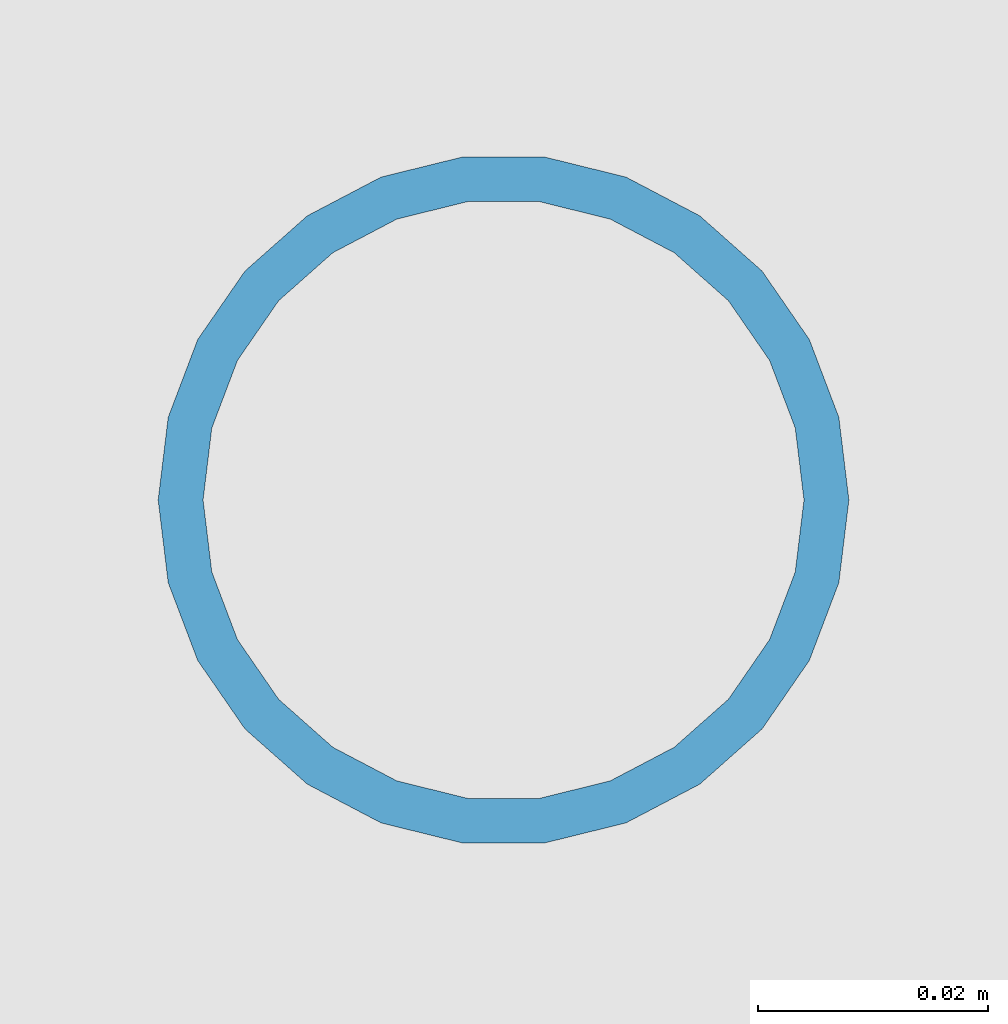
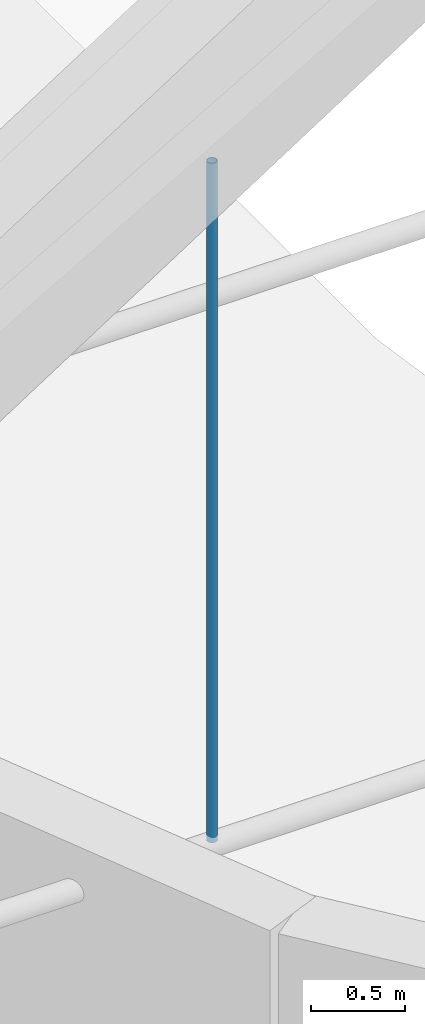
# One storey, part 15 of 94: 1 member.
"""IFC4 building model written with IfcOpenShell, lengths in metres."""

from ifc_helpers import new_model, si_unit, direction, frame, origin, origin_2d, place, context, subcontext, project, spatial, hollow_circle, extrude, material, material_profile, profile_set, type_object, element, save


model = new_model("IFC4")

# Units and contexts
model_context = context("Model", 3, precision=1e-05, world=origin(), true_north=direction((0.0, 1.0)))
body_context = subcontext(model_context, "Body", "Model", "MODEL_VIEW")
ifc_project = project(units=[si_unit("LENGTHUNIT", "METRE"), si_unit("AREAUNIT", "SQUARE_METRE"), si_unit("VOLUMEUNIT", "CUBIC_METRE"), si_unit("PLANEANGLEUNIT", "RADIAN"), si_unit("MASSUNIT", "GRAM", prefix="KILO")], contexts=[model_context])

# Site, building, storey
site_placement = place(None, origin())
site = spatial("IfcSite", under=ifc_project, at=site_placement, CompositionType="ELEMENT")
building_placement = place(site_placement, origin())
building = spatial("IfcBuilding", under=site, at=building_placement, Name="Lunette Opera House", CompositionType="ELEMENT")
storey_placement = place(building_placement, frame((0.0, 0.0, 22.5)))
storey = spatial("IfcBuildingStorey", under=building, at=storey_placement, Name="L04", CompositionType="ELEMENT", Elevation=22.5)

# Member
ifc_material = material(Name="Steel S355", Category="steel")
ifc_material_profile = material_profile(ifc_material, hollow_circle(Radius=0.030029296875, WallThickness=0.00390625, at=origin_2d()), Name="CHS 60.3X4")
ifc_profile_set = profile_set([ifc_material_profile], Name="Steel S355")
member_type = type_object("IfcMemberType", Name="CHS 60.3X4", PredefinedType="POST", material=ifc_profile_set)
member_placement = place(storey_placement, frame((83.0, 77.54296875, 2.72998046875), z_axis=(0.0, 0.0, 1.0), x_axis=(1.0, 0.0, 0.0)))
element("IfcMember", 1, at=member_placement, inside=storey, type_object=member_type, Name="mem-AU-L04-HG4-83", PredefinedType="POST", context=body_context, shape_type="SweptSolid", body=[
    extrude(hollow_circle(Radius=0.030029296875, WallThickness=0.00390625, at=origin_2d()), origin(), (0.0, 0.0, 1.0), 4.4111328125),
])

save(model, "model.ifc")
